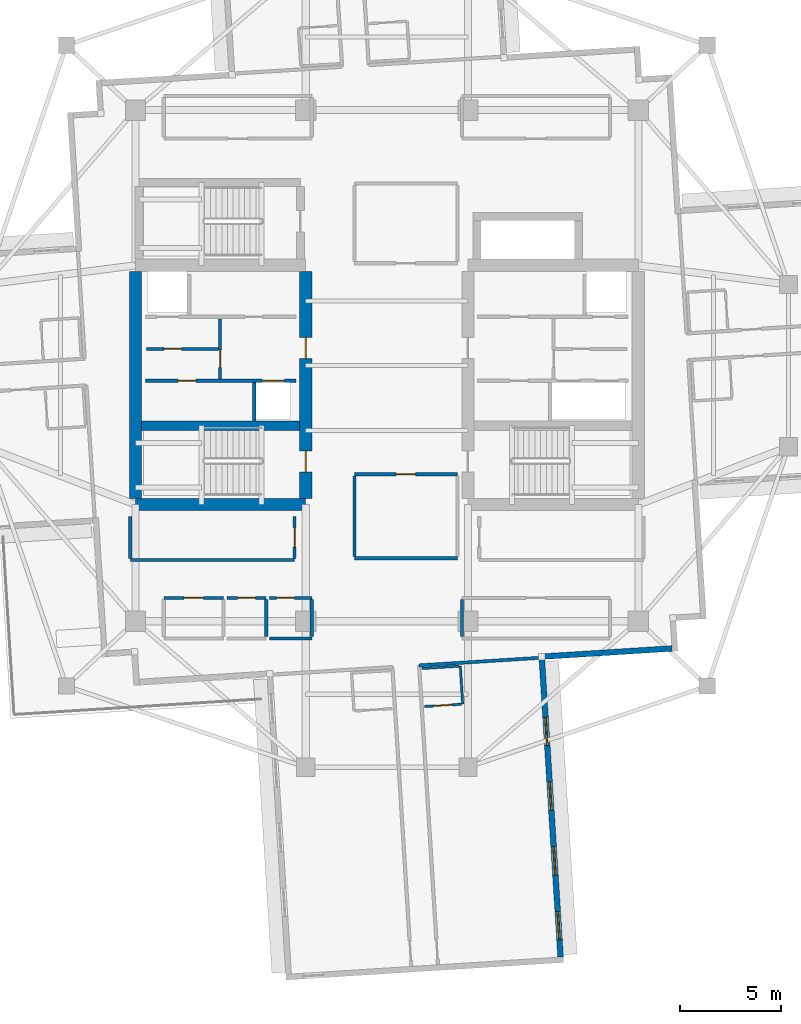
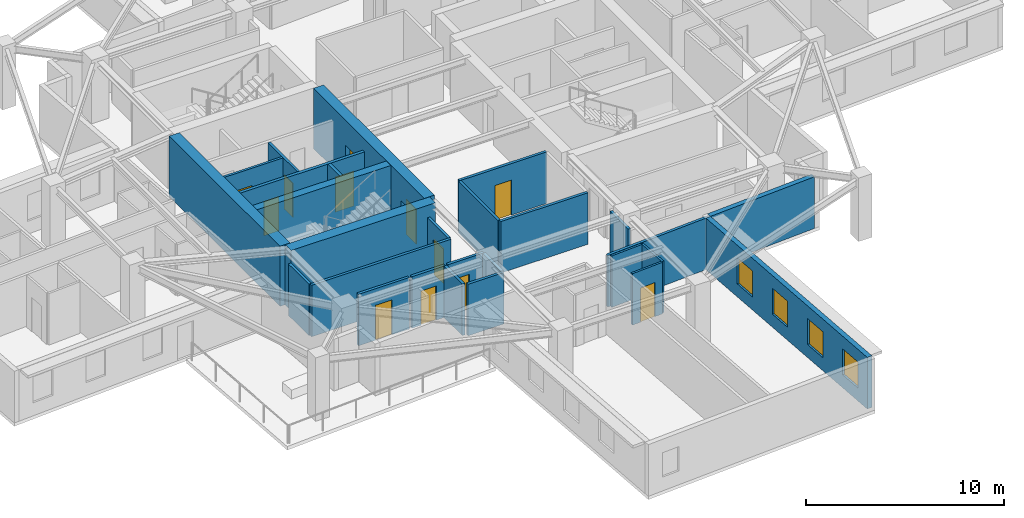
# One storey, part 4 of 12: 27 walls, 12 doors, 4 windows, 16 openings.
"""IFC4 building model written with IfcOpenShell, lengths in metres."""

from ifc_helpers import new_model, si_unit, direction, frame, frame_2d, origin, place, context, subcontext, project, spatial, rectangle, extrude, material, layer, layer_set, type_object, element, fill, save


model = new_model("IFC4")

# Units and contexts
model_context = context("Model", 3, precision=1e-05, world=origin(), true_north=direction((0.0, 1.0)))
body_context = subcontext(model_context, "Body", "Model", "MODEL_VIEW")
ifc_project = project(units=[si_unit("LENGTHUNIT", "METRE"), si_unit("AREAUNIT", "SQUARE_METRE"), si_unit("VOLUMEUNIT", "CUBIC_METRE"), si_unit("PLANEANGLEUNIT", "RADIAN"), si_unit("MASSUNIT", "GRAM", prefix="KILO")], contexts=[model_context])

# Site, building, storey
site_placement = place(None, origin())
site = spatial("IfcSite", under=ifc_project, at=site_placement, CompositionType="ELEMENT")
building_placement = place(site_placement, origin())
building = spatial("IfcBuilding", under=site, at=building_placement, Name="Qingluan Cross Belvedere", CompositionType="ELEMENT")
storey_placement = place(building_placement, frame((0.0, 0.0, 209.10009765625)))
storey = spatial("IfcBuildingStorey", under=building, at=storey_placement, Name="L52", CompositionType="ELEMENT", Elevation=209.10009765625)

# Walls
ifc_material_1 = material(Name="Concrete C50", Category="concrete")
ifc_layer_1 = layer(ifc_material_1, 0.449951171875, Name="CoreShearWall_450")
ifc_layer_set_1 = layer_set([ifc_layer_1], Name="Concrete C50")
wall_type_1 = type_object("IfcWallType", Name="CoreShearWall_450", PredefinedType="SHEAR", material=ifc_layer_set_1)
wall_1_placement = place(storey_placement, frame((-12.094970703125, -2.9599609375, 0.0), z_axis=(0.0, 0.0, 1.0), x_axis=(1.0, 0.0, 0.0)))
element("IfcWall", 1, at=wall_1_placement, inside=storey, type_object=wall_type_1, Name="Split core W shear wall L52-M", PredefinedType="SHEAR", context=body_context, shape_type="SweptSolid", body=[
    extrude(rectangle(XDim=7.7900390625, YDim=0.449951171875, at=frame_2d((3.89501953125, 0.0))), origin(), (0.0, 0.0, 1.0), 3.699951171875),
])
ifc_material_2 = material(Name="Concrete C60", Category="concrete")
ifc_layer_2 = layer(ifc_material_2, 0.60009765625, Name="CoreShearWall_600")
ifc_layer_set_2 = layer_set([ifc_layer_2], Name="Concrete C60")
wall_type_2 = type_object("IfcWallType", Name="CoreShearWall_600", PredefinedType="SHEAR", material=ifc_layer_set_2)
wall_2_placement = place(storey_placement, frame((-12.39990234375, -6.85009765625, 0.0), z_axis=(0.0, 0.0, 1.0), x_axis=(1.0, 0.0, 0.0)))
element("IfcWall", 2, at=wall_2_placement, inside=storey, type_object=wall_type_2, Name="Split core W shear wall L52-S", PredefinedType="SHEAR", context=body_context, shape_type="SweptSolid", body=[
    extrude(rectangle(XDim=8.39990234375, YDim=0.60009765625, at=frame_2d((4.199951171875, 0.0))), origin(), (0.0, 0.0, 1.0), 3.699951171875),
])
wall_3_placement = place(storey_placement, frame((-12.39990234375, -6.544921875, 0.0), z_axis=(0.0, 0.0, 1.0), x_axis=(0.0, 1.0, 0.0)))
element("IfcWall", 3, at=wall_3_placement, inside=storey, type_object=wall_type_2, Name="Split core W shear wall L52-W", PredefinedType="SHEAR", context=body_context, shape_type="SweptSolid", body=[
    extrude(rectangle(XDim=11.18994140625, YDim=0.60009765625, at=frame_2d((5.594970703125, 0.0))), origin(), (0.0, 0.0, 1.0), 3.699951171875),
])

# Wall, openings, doors
wall_4_placement = place(storey_placement, frame((-4.0, -6.544921875, 0.0), z_axis=(0.0, 0.0, 1.0), x_axis=(0.0, 1.0, 0.0)))
wall_4 = element("IfcWall", 4, at=wall_4_placement, inside=storey, type_object=wall_type_2, Name="Split core W shear wall L52-E", PredefinedType="SHEAR", context=body_context, shape_type="SweptSolid", body=[
    extrude(rectangle(XDim=11.18994140625, YDim=0.60009765625, at=frame_2d((5.594970703125, 0.0))), origin(), (0.0, 0.0, 1.0), 3.699951171875),
])
opening_1_placement = place(wall_4_placement, frame((1.294921875, 0.0, 0.0)))
opening_1 = element("IfcOpeningElement", 5, at=opening_1_placement, cuts=wall_4, Name="Opening FD-B11", PredefinedType="OPENING", context=body_context, shape_type="SweptSolid", body=[
    extrude(rectangle(XDim=1.050048828125, YDim=2.14990234375, at=frame_2d((0.52490234375, 1.074951171875))), frame((0.0, 0.31005859375, 0.0), z_axis=(0.0, -1.0, 0.0), x_axis=(1.0, 0.0, 0.0)), (0.0, 0.0, 1.0), 0.6201171875),
])
opening_2_placement = place(wall_4_placement, frame((6.89501953125, 0.0, 0.0)))
opening_2 = element("IfcOpeningElement", 6, at=opening_2_placement, cuts=wall_4, Name="Opening FD-B11", PredefinedType="OPENING", context=body_context, shape_type="SweptSolid", body=[
    extrude(rectangle(XDim=1.050048828125, YDim=2.14990234375, at=frame_2d((0.52490234375, 1.074951171875))), frame((0.0, 0.31005859375, 0.0), z_axis=(0.0, -1.0, 0.0), x_axis=(1.0, 0.0, 0.0)), (0.0, 0.0, 1.0), 0.6201171875),
])
ifc_material_3 = material(Name="Steel Class B smoke-seal fire door", Category="steel")
door_type_1 = type_object("IfcDoorType", Name="StairLobbyFireDoor_FDB", OperationType="NOTDEFINED", PredefinedType="DOOR", material=ifc_material_3)
door_1_placement = place(opening_1_placement, origin())
door_1 = element("IfcDoor", 7, at=door_1_placement, inside=storey, type_object=door_type_1, Name="Smoke-proof stair ST1 fire door L52", OperationType="SINGLE_SWING_RIGHT", OverallHeight=2.14990234375, OverallWidth=1.050048828125, PredefinedType="DOOR", context=body_context, shape_type="SweptSolid", body=[
    extrude(rectangle(XDim=1.050048828125, YDim=2.14990234375, at=frame_2d((0.52490234375, 1.074951171875))), frame((0.0, 0.02490234375, 0.0), z_axis=(0.0, -1.0, 0.0), x_axis=(1.0, 0.0, 0.0)), (0.0, 0.0, 1.0), 0.050048828125),
])
fill(opening_1, door_1)
door_2_placement = place(opening_2_placement, origin())
door_2 = element("IfcDoor", 8, at=door_2_placement, inside=storey, type_object=door_type_1, Name="Firefighting lobby West fire door L52", OperationType="SINGLE_SWING_RIGHT", OverallHeight=2.14990234375, OverallWidth=1.050048828125, PredefinedType="DOOR", context=body_context, shape_type="SweptSolid", body=[
    extrude(rectangle(XDim=1.050048828125, YDim=2.14990234375, at=frame_2d((0.52490234375, 1.074951171875))), frame((0.0, 0.02490234375, 0.0), z_axis=(0.0, -1.0, 0.0), x_axis=(1.0, 0.0, 0.0)), (0.0, 0.0, 1.0), 0.050048828125),
])
fill(opening_2, door_2)

# Wall, opening, door
ifc_material_4 = material(Name="Gypsum plasterboard on steel stud acoustic partition", Category="steel")
ifc_layer_3 = layer(ifc_material_4, 0.159912109375, Name="CorridorPartition_160")
ifc_layer_set_3 = layer_set([ifc_layer_3], Name="Gypsum plasterboard on steel stud acoustic partition")
wall_type_3 = type_object("IfcWallType", Name="CorridorPartition_160", PredefinedType="PARTITIONING", material=ifc_layer_set_3)
wall_5_placement = place(storey_placement, frame((-11.85009765625, 0.830078125, 0.0), z_axis=(0.0, 0.0, 1.0), x_axis=(1.0, 0.0, 0.0)))
wall_5 = element("IfcWall", 9, at=wall_5_placement, inside=storey, type_object=wall_type_3, Name="Partition L52:w", PredefinedType="PARTITIONING", context=body_context, shape_type="SweptSolid", body=[
    extrude(rectangle(XDim=3.552001953125, YDim=0.139892578125, at=frame_2d((1.77587890625, 0.0))), origin(), (0.0, 0.0, 1.0), 3.169921875),
])
opening_3_placement = place(wall_5_placement, frame((0.85009765625, 0.0, 0.0)))
opening_3 = element("IfcOpeningElement", 10, at=opening_3_placement, cuts=wall_5, Name="Opening FD-B10", PredefinedType="OPENING", context=body_context, shape_type="SweptSolid", body=[
    extrude(rectangle(XDim=0.8798828125, YDim=2.10009765625, at=frame_2d((0.43994140625, 1.050048828125))), frame((0.0, 0.079833984375, 0.0), z_axis=(0.0, -1.0, 0.0), x_axis=(1.0, 0.0, 0.0)), (0.0, 0.0, 1.0), 0.159912109375),
])
ifc_material_5 = material(Name="Steel Class B service fire door", Category="steel")
door_type_2 = type_object("IfcDoorType", Name="RiserServiceFireDoor_FDB", OperationType="NOTDEFINED", PredefinedType="DOOR", material=ifc_material_5)
door_3_placement = place(opening_3_placement, origin())
door_3 = element("IfcDoor", 11, at=door_3_placement, inside=storey, type_object=door_type_2, Name="Service closet inner door L52", OperationType="SINGLE_SWING_LEFT", OverallHeight=2.10009765625, OverallWidth=0.8798828125, PredefinedType="DOOR", context=body_context, shape_type="SweptSolid", body=[
    extrude(rectangle(XDim=0.8798828125, YDim=2.10009765625, at=frame_2d((0.43994140625, 1.050048828125))), frame((0.0, 0.02490234375, 0.0), z_axis=(0.0, -1.0, 0.0), x_axis=(1.0, 0.0, 0.0)), (0.0, 0.0, 1.0), 0.050048828125),
])
fill(opening_3, door_3)

# Wall
wall_6_placement = place(storey_placement, frame((3.699951171875, -13.364990234375, 0.0), z_axis=(0.0, 0.0, 1.0), x_axis=(0.0, 1.0, 0.0)))
element("IfcWall", 12, at=wall_6_placement, inside=storey, type_object=wall_type_3, Name="Partition L52:q_se:W", PredefinedType="PARTITIONING", context=body_context, shape_type="SweptSolid", body=[
    extrude(rectangle(XDim=1.830078125, YDim=0.159912109375, at=frame_2d((0.9150390625, 0.0))), origin(), (0.0, 0.0, 1.0), 3.169921875),
])

# Wall, opening, door
wall_7_placement = place(storey_placement, frame((-11.0, -11.449951171875, 0.0), z_axis=(0.0, 0.0, 1.0), x_axis=(1.0, 0.0, 0.0)))
wall_7 = element("IfcWall", 13, at=wall_7_placement, inside=storey, type_object=wall_type_3, Name="Partition L52:q_sw_occ:N", PredefinedType="PARTITIONING", context=body_context, shape_type="SweptSolid", body=[
    extrude(rectangle(XDim=2.949951171875, YDim=0.159912109375, at=frame_2d((1.47509765625, 0.0))), origin(), (0.0, 0.0, 1.0), 3.169921875),
])
opening_4_placement = place(wall_7_placement, frame((0.9951171875, 0.0, 0.0)))
opening_4 = element("IfcOpeningElement", 14, at=opening_4_placement, cuts=wall_7, Name="Opening GD-10", PredefinedType="OPENING", context=body_context, shape_type="SweptSolid", body=[
    extrude(rectangle(XDim=0.9599609375, YDim=2.14990234375, at=frame_2d((0.47998046875, 1.074951171875))), frame((0.0, 0.08984375, 0.0), z_axis=(0.0, -1.0, 0.0), x_axis=(1.0, 0.0, 0.0)), (0.0, 0.0, 1.0), 0.179931640625),
])
ifc_material_6 = material(Name="Timber oak fire-rated acoustic guestroom door", Category="wood")
door_type_3 = type_object("IfcDoorType", Name="GuestEntryDoor_FD60", OperationType="NOTDEFINED", PredefinedType="DOOR", material=ifc_material_6)
door_4_placement = place(opening_4_placement, origin())
door_4 = element("IfcDoor", 15, at=door_4_placement, inside=storey, type_object=door_type_3, Name="Executive briefing room L52 door", OperationType="SINGLE_SWING_LEFT", OverallHeight=2.14990234375, OverallWidth=0.9599609375, PredefinedType="DOOR", context=body_context, shape_type="SweptSolid", body=[
    extrude(rectangle(XDim=0.9599609375, YDim=2.14990234375, at=frame_2d((0.47998046875, 1.074951171875))), frame((0.0, 0.02490234375, 0.0), z_axis=(0.0, -1.0, 0.0), x_axis=(1.0, 0.0, 0.0)), (0.0, 0.0, 1.0), 0.050048828125),
])
fill(opening_4, door_4)

wall_8_placement = place(storey_placement, frame((-7.889892578125, -11.449951171875, 0.0), z_axis=(0.0, 0.0, 1.0), x_axis=(1.0, 0.0, 0.0)))
wall_8 = element("IfcWall", 16, at=wall_8_placement, inside=storey, type_object=wall_type_3, Name="Partition L52:hk_linen:N", PredefinedType="PARTITIONING", context=body_context, shape_type="SweptSolid", body=[
    extrude(rectangle(XDim=1.93994140625, YDim=0.159912109375, at=frame_2d((0.969970703125, 0.0))), origin(), (0.0, 0.0, 1.0), 3.169921875),
])
opening_5_placement = place(wall_8_placement, frame((0.530029296875, 0.0, 0.0)))
opening_5 = element("IfcOpeningElement", 17, at=opening_5_placement, cuts=wall_8, Name="Opening FD-B10", PredefinedType="OPENING", context=body_context, shape_type="SweptSolid", body=[
    extrude(rectangle(XDim=0.8798828125, YDim=2.10009765625, at=frame_2d((0.43994140625, 1.050048828125))), frame((0.0, 0.08984375, 0.0), z_axis=(0.0, -1.0, 0.0), x_axis=(1.0, 0.0, 0.0)), (0.0, 0.0, 1.0), 0.179931640625),
])
door_5_placement = place(opening_5_placement, origin())
door_5 = element("IfcDoor", 18, at=door_5_placement, inside=storey, type_object=door_type_2, Name="Housekeeping and linen store L52 door", OperationType="SINGLE_SWING_RIGHT", OverallHeight=2.10009765625, OverallWidth=0.8798828125, PredefinedType="DOOR", context=body_context, shape_type="SweptSolid", body=[
    extrude(rectangle(XDim=0.8798828125, YDim=2.10009765625, at=frame_2d((0.43994140625, 1.050048828125))), frame((0.0, 0.02490234375, 0.0), z_axis=(0.0, -1.0, 0.0), x_axis=(1.0, 0.0, 0.0)), (0.0, 0.0, 1.0), 0.050048828125),
])
fill(opening_5, door_5)

# Walls
wall_9_placement = place(storey_placement, frame((-5.949951171875, -13.364990234375, 0.0), z_axis=(0.0, 0.0, 1.0), x_axis=(0.0, 1.0, 0.0)))
element("IfcWall", 19, at=wall_9_placement, inside=storey, type_object=wall_type_3, Name="Partition L52:hk_linen:E", PredefinedType="PARTITIONING", context=body_context, shape_type="SweptSolid", body=[
    extrude(rectangle(XDim=1.830078125, YDim=0.159912109375, at=frame_2d((0.9150390625, 0.0))), origin(), (0.0, 0.0, 1.0), 3.169921875),
])
wall_10_placement = place(storey_placement, frame((-5.7900390625, -13.449951171875, 0.0), z_axis=(0.0, 0.0, 1.0), x_axis=(1.0, 0.0, 0.0)))
element("IfcWall", 20, at=wall_10_placement, inside=storey, type_object=wall_type_3, Name="Partition L52:floor_acc_wc:S", PredefinedType="PARTITIONING", context=body_context, shape_type="SweptSolid", body=[
    extrude(rectangle(XDim=2.090087890625, YDim=0.159912109375, at=frame_2d((1.044921875, 0.0))), origin(), (0.0, 0.0, 1.0), 3.169921875),
])

# Wall, opening, door
wall_11_placement = place(storey_placement, frame((-5.7900390625, -11.449951171875, 0.0), z_axis=(0.0, 0.0, 1.0), x_axis=(1.0, 0.0, 0.0)))
wall_11 = element("IfcWall", 21, at=wall_11_placement, inside=storey, type_object=wall_type_3, Name="Partition L52:floor_acc_wc:N", PredefinedType="PARTITIONING", context=body_context, shape_type="SweptSolid", body=[
    extrude(rectangle(XDim=2.090087890625, YDim=0.159912109375, at=frame_2d((1.044921875, 0.0))), origin(), (0.0, 0.0, 1.0), 3.169921875),
])
opening_6_placement = place(wall_11_placement, frame((0.35009765625, 0.0, 0.0)))
opening_6 = element("IfcOpeningElement", 22, at=opening_6_placement, cuts=wall_11, Name="Opening BD-08", PredefinedType="OPENING", context=body_context, shape_type="SweptSolid", body=[
    extrude(rectangle(XDim=0.8798828125, YDim=2.14990234375, at=frame_2d((0.43994140625, 1.074951171875))), frame((0.0, 0.08984375, 0.0), z_axis=(0.0, -1.0, 0.0), x_axis=(1.0, 0.0, 0.0)), (0.0, 0.0, 1.0), 0.179931640625),
])
ifc_material_7 = material(Name="Moisture-sealed timber accessible WC door", Category="wood")
door_type_4 = type_object("IfcDoorType", Name="AccessibleWCDoor_880", OperationType="NOTDEFINED", PredefinedType="DOOR", material=ifc_material_7)
door_6_placement = place(opening_6_placement, origin())
door_6 = element("IfcDoor", 23, at=door_6_placement, inside=storey, type_object=door_type_4, Name="Accessible guest washroom L52 door", OperationType="SINGLE_SWING_LEFT", OverallHeight=2.14990234375, OverallWidth=0.8798828125, PredefinedType="DOOR", context=body_context, shape_type="SweptSolid", body=[
    extrude(rectangle(XDim=0.8798828125, YDim=2.14990234375, at=frame_2d((0.43994140625, 1.074951171875))), frame((0.0, 0.02490234375, 0.0), z_axis=(0.0, -1.0, 0.0), x_axis=(1.0, 0.0, 0.0)), (0.0, 0.0, 1.0), 0.050048828125),
])
fill(opening_6, door_6)

# Walls
wall_12_placement = place(storey_placement, frame((-3.699951171875, -13.364990234375, 0.0), z_axis=(0.0, 0.0, 1.0), x_axis=(0.0, 1.0, 0.0)))
element("IfcWall", 24, at=wall_12_placement, inside=storey, type_object=wall_type_3, Name="Partition L52:floor_acc_wc:E", PredefinedType="PARTITIONING", context=body_context, shape_type="SweptSolid", body=[
    extrude(rectangle(XDim=1.830078125, YDim=0.159912109375, at=frame_2d((0.9150390625, 0.0))), origin(), (0.0, 0.0, 1.0), 3.169921875),
])
wall_13_placement = place(storey_placement, frame((-1.60009765625, -9.5, 0.0), z_axis=(0.0, 0.0, 1.0), x_axis=(1.0, 0.0, 0.0)))
element("IfcWall", 25, at=wall_13_placement, inside=storey, type_object=wall_type_3, Name="Partition L52:sky_south_alcove:S", PredefinedType="PARTITIONING", context=body_context, shape_type="SweptSolid", body=[
    extrude(rectangle(XDim=5.080078125, YDim=0.159912109375, at=frame_2d((2.5400390625, 0.0))), origin(), (0.0, 0.0, 1.0), 3.169921875),
])

# Wall, opening, door
wall_14_placement = place(storey_placement, frame((-1.60009765625, -5.35009765625, 0.0), z_axis=(0.0, 0.0, 1.0), x_axis=(1.0, 0.0, 0.0)))
wall_14 = element("IfcWall", 26, at=wall_14_placement, inside=storey, type_object=wall_type_3, Name="Partition L52:sky_south_alcove:N", PredefinedType="PARTITIONING", context=body_context, shape_type="SweptSolid", body=[
    extrude(rectangle(XDim=5.080078125, YDim=0.159912109375, at=frame_2d((2.5400390625, 0.0))), origin(), (0.0, 0.0, 1.0), 3.169921875),
])
opening_7_placement = place(wall_14_placement, frame((2.06005859375, 0.0, 0.0)))
opening_7 = element("IfcOpeningElement", 27, at=opening_7_placement, cuts=wall_14, Name="Opening GD-10", PredefinedType="OPENING", context=body_context, shape_type="SweptSolid", body=[
    extrude(rectangle(XDim=0.9599609375, YDim=2.14990234375, at=frame_2d((0.47998046875, 1.074951171875))), frame((0.0, 0.08984375, 0.0), z_axis=(0.0, -1.0, 0.0), x_axis=(1.0, 0.0, 0.0)), (0.0, 0.0, 1.0), 0.179931640625),
])
door_7_placement = place(opening_7_placement, origin())
door_7 = element("IfcDoor", 28, at=door_7_placement, inside=storey, type_object=door_type_3, Name="South horizon reading alcove L52 door", OperationType="SINGLE_SWING_LEFT", OverallHeight=2.14990234375, OverallWidth=0.9599609375, PredefinedType="DOOR", context=body_context, shape_type="SweptSolid", body=[
    extrude(rectangle(XDim=0.9599609375, YDim=2.14990234375, at=frame_2d((0.47998046875, 1.074951171875))), frame((0.0, 0.02490234375, 0.0), z_axis=(0.0, -1.0, 0.0), x_axis=(1.0, 0.0, 0.0)), (0.0, 0.0, 1.0), 0.050048828125),
])
fill(opening_7, door_7)

# Walls
wall_15_placement = place(storey_placement, frame((-1.60009765625, -9.4150390625, 0.0), z_axis=(0.0, 0.0, 1.0), x_axis=(0.0, 1.0, 0.0)))
element("IfcWall", 29, at=wall_15_placement, inside=storey, type_object=wall_type_3, Name="Partition L52:sky_south_alcove:W", PredefinedType="PARTITIONING", context=body_context, shape_type="SweptSolid", body=[
    extrude(rectangle(XDim=3.97998046875, YDim=0.159912109375, at=frame_2d((1.989990234375, 0.0))), origin(), (0.0, 0.0, 1.0), 3.169921875),
])
wall_16_placement = place(storey_placement, frame((-12.64990234375, -9.580078125, 0.0), z_axis=(0.0, 0.0, 1.0), x_axis=(1.0, 0.0, 0.0)))
element("IfcWall", 30, at=wall_16_placement, inside=storey, type_object=wall_type_3, Name="Partition L52:rec_st4_w:S", PredefinedType="PARTITIONING", context=body_context, shape_type="SweptSolid", body=[
    extrude(rectangle(XDim=8.099853515625, YDim=0.159912109375, at=frame_2d((4.0498046875, 0.0))), origin(), (0.0, 0.0, 1.0), 3.169921875),
])
wall_17_placement = place(storey_placement, frame((-12.64990234375, -9.4951171875, 0.0), z_axis=(0.0, 0.0, 1.0), x_axis=(0.0, 1.0, 0.0)))
element("IfcWall", 31, at=wall_17_placement, inside=storey, type_object=wall_type_3, Name="Partition L52:rec_st4_w:W", PredefinedType="PARTITIONING", context=body_context, shape_type="SweptSolid", body=[
    extrude(rectangle(XDim=2.06005859375, YDim=0.159912109375, at=frame_2d((1.030029296875, 0.0))), origin(), (0.0, 0.0, 1.0), 3.169921875),
])

# Wall, opening, door
wall_18_placement = place(storey_placement, frame((-4.550048828125, -9.4951171875, 0.0), z_axis=(0.0, 0.0, 1.0), x_axis=(0.0, 1.0, 0.0)))
wall_18 = element("IfcWall", 32, at=wall_18_placement, inside=storey, type_object=wall_type_3, Name="Partition L52:rec_st4_w:E", PredefinedType="PARTITIONING", context=body_context, shape_type="SweptSolid", body=[
    extrude(rectangle(XDim=2.06005859375, YDim=0.159912109375, at=frame_2d((1.030029296875, 0.0))), origin(), (0.0, 0.0, 1.0), 3.169921875),
])
opening_8_placement = place(wall_18_placement, frame((0.550048828125, 0.0, 0.0)))
opening_8 = element("IfcOpeningElement", 33, at=opening_8_placement, cuts=wall_18, Name="Opening GD-10", PredefinedType="OPENING", context=body_context, shape_type="SweptSolid", body=[
    extrude(rectangle(XDim=0.9599609375, YDim=2.14990234375, at=frame_2d((0.47998046875, 1.074951171875))), frame((0.0, 0.08984375, 0.0), z_axis=(0.0, -1.0, 0.0), x_axis=(1.0, 0.0, 0.0)), (0.0, 0.0, 1.0), 0.179931640625),
])
door_8_placement = place(opening_8_placement, origin())
door_8 = element("IfcDoor", 34, at=door_8_placement, inside=storey, type_object=door_type_3, Name="Southwest club reading room L52 door", OperationType="SINGLE_SWING_LEFT", OverallHeight=2.14990234375, OverallWidth=0.9599609375, PredefinedType="DOOR", context=body_context, shape_type="SweptSolid", body=[
    extrude(rectangle(XDim=0.9599609375, YDim=2.14990234375, at=frame_2d((0.47998046875, 1.074951171875))), frame((0.0, 0.02490234375, 0.0), z_axis=(0.0, -1.0, 0.0), x_axis=(1.0, 0.0, 0.0)), (0.0, 0.0, 1.0), 0.050048828125),
])
fill(opening_8, door_8)

# Wall
wall_19_placement = place(storey_placement, frame((1.591064453125, -14.779296875, 0.0), z_axis=(0.0, 0.0, 1.0), x_axis=(0.998025680695, 0.062807170557, 0.0)))
element("IfcWall", 35, at=wall_19_placement, inside=storey, type_object=wall_type_3, Name="Partition L52:S:s0", PredefinedType="PARTITIONING", context=body_context, shape_type="SweptSolid", body=[
    extrude(rectangle(XDim=6.06005859375, YDim=0.159912109375, at=frame_2d((3.030029296875, 0.0))), origin(), (0.0, 0.0, 1.0), 3.169921875),
])

# Wall, opening, door
ifc_material_8 = material(Name="Moisture-resistant gypsum board lining")
ifc_layer_4 = layer(ifc_material_8, 0.1201171875, Name="EnsuiteWetPartition_120")
ifc_layer_set_4 = layer_set([ifc_layer_4], Name="Moisture-resistant gypsum board lining")
wall_type_4 = type_object("IfcWallType", Name="EnsuiteWetPartition_120", PredefinedType="PARTITIONING", material=ifc_layer_set_4)
wall_20_placement = place(storey_placement, frame((1.85888671875, -16.806396484375, 0.0), z_axis=(0.0, 0.0, 1.0), x_axis=(0.998027443946, 0.062779145668, 0.0)))
wall_20 = element("IfcWall", 36, at=wall_20_placement, inside=storey, type_object=wall_type_4, Name="Partition L52:S:bs0_0", PredefinedType="PARTITIONING", context=body_context, shape_type="SweptSolid", body=[
    extrude(rectangle(XDim=1.820068359375, YDim=0.1201171875, at=frame_2d((0.91015625, 0.0))), origin(), (0.0, 0.0, 1.0), 3.169921875),
])
opening_9_placement = place(wall_20_placement, frame((0.469970703125, 0.0, 0.0)))
opening_9 = element("IfcOpeningElement", 37, at=opening_9_placement, cuts=wall_20, Name="Opening BD-09", PredefinedType="OPENING", context=body_context, shape_type="SweptSolid", body=[
    extrude(rectangle(XDim=0.8798828125, YDim=2.10009765625, at=frame_2d((0.43994140625, 1.050048828125))), frame((0.0, 0.070068359375, 0.0), z_axis=(0.0, -1.0, 0.0), x_axis=(1.0, 0.0, 0.0)), (0.0, 0.0, 1.0), 0.14013671875),
])
ifc_material_9 = material(Name="Moisture-sealed timber en-suite door", Category="wood")
door_type_5 = type_object("IfcDoorType", Name="BathroomDoor_880", OperationType="NOTDEFINED", PredefinedType="DOOR", material=ifc_material_9)
door_9_placement = place(opening_9_placement, origin())
door_9 = element("IfcDoor", 38, at=door_9_placement, inside=storey, type_object=door_type_5, Name="Bathroom door 5213", OperationType="SINGLE_SWING_LEFT", OverallHeight=2.10009765625, OverallWidth=0.8798828125, PredefinedType="DOOR", context=body_context, shape_type="SweptSolid", body=[
    extrude(rectangle(XDim=0.8798828125, YDim=2.10009765625, at=frame_2d((0.43994140625, 1.050048828125))), frame((0.0, 0.02490234375, 0.0), z_axis=(0.0, -1.0, 0.0), x_axis=(1.0, 0.0, 0.0)), (0.0, 0.0, 1.0), 0.050048828125),
])
fill(opening_9, door_9)

# Walls
wall_21_placement = place(storey_placement, frame((1.740966796875, -14.93017578125, 0.0), z_axis=(0.0, 0.0, 1.0), x_axis=(0.998027443946, 0.062779145668, 0.0)))
element("IfcWall", 39, at=wall_21_placement, inside=storey, type_object=wall_type_4, Name="Partition L52:S:bw0_0", PredefinedType="PARTITIONING", context=body_context, shape_type="SweptSolid", body=[
    extrude(rectangle(XDim=1.820068359375, YDim=0.1201171875, at=frame_2d((0.91015625, 0.0))), origin(), (0.0, 0.0, 1.0), 3.169921875),
])
wall_22_placement = place(storey_placement, frame((3.622314453125, -14.811767578125, 0.0), z_axis=(0.0, 0.0, 1.0), x_axis=(0.062725942896, -0.998030789148, 0.0)))
element("IfcWall", 40, at=wall_22_placement, inside=storey, type_object=wall_type_4, Name="Partition L52:S:bn0_0", PredefinedType="PARTITIONING", context=body_context, shape_type="SweptSolid", body=[
    extrude(rectangle(XDim=1.8798828125, YDim=0.1201171875, at=frame_2d((0.93994140625, 0.0))), origin(), (0.0, 0.0, 1.0), 3.169921875),
])

# Wall, openings, windows
ifc_material_10 = material(Name="Precast concrete C45", Category="concrete")
ifc_layer_5 = layer(ifc_material_10, 0.280029296875, Name="PrecastFacadeWall_280")
ifc_layer_set_5 = layer_set([ifc_layer_5], Name="Precast concrete C45")
wall_type_5 = type_object("IfcWallType", Name="PrecastFacadeWall_280", PredefinedType="STANDARD", material=ifc_layer_set_5)
wall_23_placement = place(storey_placement, frame((8.56787109375, -29.15966796875, 0.0), z_axis=(0.0, 0.0, 1.0), x_axis=(-0.062794967833, 0.998026448555, 0.0)))
wall_23 = element("IfcWall", 41, at=wall_23_placement, inside=storey, type_object=wall_type_5, Name="Facade wall L52-SB", PredefinedType="STANDARD", context=body_context, shape_type="SweptSolid", body=[
    extrude(rectangle(XDim=14.7001953125, YDim=0.280029296875, at=frame_2d((7.35009765625, 0.0))), origin(), (0.0, 0.0, 1.0), 3.179931640625),
])
opening_10_placement = place(wall_23_placement, frame((0.85009765625, 0.0, 0.800048828125)))
opening_10 = element("IfcOpeningElement", 42, at=opening_10_placement, cuts=wall_23, Name="Opening W-01", PredefinedType="OPENING", context=body_context, shape_type="SweptSolid", body=[
    extrude(rectangle(XDim=1.39990234375, YDim=1.60009765625, at=frame_2d((0.699951171875, 0.800048828125))), frame((0.0, 0.14990234375, 0.0), z_axis=(0.0, -1.0, 0.0), x_axis=(1.0, 0.0, 0.0)), (0.0, 0.0, 1.0), 0.300048828125),
])
opening_11_placement = place(wall_23_placement, frame((4.050048828125, 0.0, 0.800048828125)))
opening_11 = element("IfcOpeningElement", 43, at=opening_11_placement, cuts=wall_23, Name="Opening W-01", PredefinedType="OPENING", context=body_context, shape_type="SweptSolid", body=[
    extrude(rectangle(XDim=1.39990234375, YDim=1.60009765625, at=frame_2d((0.699951171875, 0.800048828125))), frame((0.0, 0.14990234375, 0.0), z_axis=(0.0, -1.0, 0.0), x_axis=(1.0, 0.0, 0.0)), (0.0, 0.0, 1.0), 0.300048828125),
])
opening_12_placement = place(wall_23_placement, frame((7.25, 0.0, 0.800048828125)))
opening_12 = element("IfcOpeningElement", 44, at=opening_12_placement, cuts=wall_23, Name="Opening W-01", PredefinedType="OPENING", context=body_context, shape_type="SweptSolid", body=[
    extrude(rectangle(XDim=1.39990234375, YDim=1.60009765625, at=frame_2d((0.699951171875, 0.800048828125))), frame((0.0, 0.14990234375, 0.0), z_axis=(0.0, -1.0, 0.0), x_axis=(1.0, 0.0, 0.0)), (0.0, 0.0, 1.0), 0.300048828125),
])
opening_13_placement = place(wall_23_placement, frame((10.449951171875, 0.0, 0.800048828125)))
opening_13 = element("IfcOpeningElement", 45, at=opening_13_placement, cuts=wall_23, Name="Opening W-01", PredefinedType="OPENING", context=body_context, shape_type="SweptSolid", body=[
    extrude(rectangle(XDim=1.39990234375, YDim=1.60009765625, at=frame_2d((0.699951171875, 0.800048828125))), frame((0.0, 0.14990234375, 0.0), z_axis=(0.0, -1.0, 0.0), x_axis=(1.0, 0.0, 0.0)), (0.0, 0.0, 1.0), 0.300048828125),
])
ifc_material_11 = material(Name="Thermally broken triple Low-E glass in aluminium frame", Category="aluminium")
window_type = type_object("IfcWindowType", Name="TriRibbonWin_1400x1600", PartitioningType="SINGLE_PANEL", PredefinedType="WINDOW", material=ifc_material_11)
window_1_placement = place(opening_10_placement, origin())
window_1 = element("IfcWindow", 46, at=window_1_placement, inside=storey, type_object=window_type, Name="Ribbon window L52-SB-1", OverallHeight=1.60009765625, OverallWidth=1.39990234375, PartitioningType="SINGLE_PANEL", PredefinedType="WINDOW", context=body_context, shape_type="SweptSolid", body=[
    extrude(rectangle(XDim=1.39990234375, YDim=1.60009765625, at=frame_2d((0.699951171875, 0.800048828125))), frame((0.0, 0.030029296875, 0.0), z_axis=(0.0, -1.0, 0.0), x_axis=(1.0, 0.0, 0.0)), (0.0, 0.0, 1.0), 0.06005859375),
])
fill(opening_10, window_1)
window_2_placement = place(opening_11_placement, origin())
window_2 = element("IfcWindow", 47, at=window_2_placement, inside=storey, type_object=window_type, Name="Ribbon window L52-SB-2", OverallHeight=1.60009765625, OverallWidth=1.39990234375, PartitioningType="SINGLE_PANEL", PredefinedType="WINDOW", context=body_context, shape_type="SweptSolid", body=[
    extrude(rectangle(XDim=1.39990234375, YDim=1.60009765625, at=frame_2d((0.699951171875, 0.800048828125))), frame((0.0, 0.030029296875, 0.0), z_axis=(0.0, -1.0, 0.0), x_axis=(1.0, 0.0, 0.0)), (0.0, 0.0, 1.0), 0.06005859375),
])
fill(opening_11, window_2)
window_3_placement = place(opening_12_placement, origin())
window_3 = element("IfcWindow", 48, at=window_3_placement, inside=storey, type_object=window_type, Name="Ribbon window L52-SB-3", OverallHeight=1.60009765625, OverallWidth=1.39990234375, PartitioningType="SINGLE_PANEL", PredefinedType="WINDOW", context=body_context, shape_type="SweptSolid", body=[
    extrude(rectangle(XDim=1.39990234375, YDim=1.60009765625, at=frame_2d((0.699951171875, 0.800048828125))), frame((0.0, 0.030029296875, 0.0), z_axis=(0.0, -1.0, 0.0), x_axis=(1.0, 0.0, 0.0)), (0.0, 0.0, 1.0), 0.06005859375),
])
fill(opening_12, window_3)
window_4_placement = place(opening_13_placement, origin())
window_4 = element("IfcWindow", 49, at=window_4_placement, inside=storey, type_object=window_type, Name="Ribbon window L52-SB-4", OverallHeight=1.60009765625, OverallWidth=1.39990234375, PartitioningType="SINGLE_PANEL", PredefinedType="WINDOW", context=body_context, shape_type="SweptSolid", body=[
    extrude(rectangle(XDim=1.39990234375, YDim=1.60009765625, at=frame_2d((0.699951171875, 0.800048828125))), frame((0.0, 0.030029296875, 0.0), z_axis=(0.0, -1.0, 0.0), x_axis=(1.0, 0.0, 0.0)), (0.0, 0.0, 1.0), 0.06005859375),
])
fill(opening_13, window_4)

# Wall
wall_24_placement = place(storey_placement, frame((14.063232421875, -13.944580078125, 0.0), z_axis=(0.0, 0.0, 1.0), x_axis=(-0.998027314704, -0.062781200242, 0.0)))
element("IfcWall", 50, at=wall_24_placement, inside=storey, type_object=wall_type_5, Name="Corner wall L52-SE4", PredefinedType="STANDARD", context=body_context, shape_type="SweptSolid", body=[
    extrude(rectangle(XDim=6.2998046875, YDim=0.280029296875, at=frame_2d((3.14990234375, 0.0))), origin(), (0.0, 0.0, 1.0), 3.179931640625),
])

# Wall, openings, doors
ifc_material_12 = material(Name="Concrete C40", Category="concrete")
ifc_layer_6 = layer(ifc_material_12, 0.219970703125, Name="ShaftEnclosureWall_250")
ifc_layer_set_6 = layer_set([ifc_layer_6], Name="Concrete C40")
wall_type_6 = type_object("IfcWallType", Name="ShaftEnclosureWall_250", PredefinedType="SOLIDWALL", material=ifc_layer_set_6)
wall_25_placement = place(storey_placement, frame((-11.89990234375, -0.75, 0.0), z_axis=(0.0, 0.0, 1.0), x_axis=(1.0, 0.0, 0.0)))
wall_25 = element("IfcWall", 51, at=wall_25_placement, inside=storey, type_object=wall_type_6, Name="Core-W mid hoistway wall L52", PredefinedType="SOLIDWALL", context=body_context, shape_type="SweptSolid", body=[
    extrude(rectangle(XDim=7.419921875, YDim=0.179931640625, at=frame_2d((3.7099609375, 0.0))), origin(), (0.0, 0.0, 1.0), 3.169921875),
])
opening_14_placement = place(wall_25_placement, frame((5.75, 0.0, 0.0)))
opening_14 = element("IfcOpeningElement", 52, at=opening_14_placement, cuts=wall_25, Name="Opening LD-11", PredefinedType="OPENING", context=body_context, shape_type="SweptSolid", body=[
    extrude(rectangle(XDim=1.10009765625, YDim=2.14990234375, at=frame_2d((0.550048828125, 1.074951171875))), frame((0.0, 0.099853515625, 0.0), z_axis=(0.0, -1.0, 0.0), x_axis=(1.0, 0.0, 0.0)), (0.0, 0.0, 1.0), 0.199951171875),
])
opening_15_placement = place(wall_25_placement, frame((1.60009765625, 0.0, 0.0)))
opening_15 = element("IfcOpeningElement", 53, at=opening_15_placement, cuts=wall_25, Name="Opening FD-B10", PredefinedType="OPENING", context=body_context, shape_type="SweptSolid", body=[
    extrude(rectangle(XDim=0.8798828125, YDim=2.10009765625, at=frame_2d((0.43994140625, 1.050048828125))), frame((0.0, 0.099853515625, 0.0), z_axis=(0.0, -1.0, 0.0), x_axis=(1.0, 0.0, 0.0)), (0.0, 0.0, 1.0), 0.199951171875),
])
ifc_material_13 = material(Name="Brushed stainless steel centre-opening lift landing door", Category="steel")
door_type_6 = type_object("IfcDoorType", Name="LiftLandingSlidingDoor_1100", OperationType="DOUBLE_DOOR_SLIDING", PredefinedType="DOOR", material=ifc_material_13)
door_10_placement = place(opening_14_placement, origin())
door_10 = element("IfcDoor", 54, at=door_10_placement, inside=storey, type_object=door_type_6, Name="Lift landing sliding door LP8 L52", OperationType="DOUBLE_DOOR_SLIDING", OverallHeight=2.14990234375, OverallWidth=1.10009765625, PredefinedType="DOOR", context=body_context, shape_type="SweptSolid", body=[
    extrude(rectangle(XDim=1.10009765625, YDim=2.14990234375, at=frame_2d((0.550048828125, 1.074951171875))), frame((0.0, 0.02490234375, 0.0), z_axis=(0.0, -1.0, 0.0), x_axis=(1.0, 0.0, 0.0)), (0.0, 0.0, 1.0), 0.050048828125),
])
fill(opening_14, door_10)
door_11_placement = place(opening_15_placement, origin())
door_11 = element("IfcDoor", 55, at=door_11_placement, inside=storey, type_object=door_type_2, Name="Upper-zone electrical room door L52", OperationType="SINGLE_SWING_LEFT", OverallHeight=2.10009765625, OverallWidth=0.8798828125, PredefinedType="DOOR", context=body_context, shape_type="SweptSolid", body=[
    extrude(rectangle(XDim=0.8798828125, YDim=2.10009765625, at=frame_2d((0.43994140625, 1.050048828125))), frame((0.0, 0.02490234375, 0.0), z_axis=(0.0, -1.0, 0.0), x_axis=(1.0, 0.0, 0.0)), (0.0, 0.0, 1.0), 0.050048828125),
])
fill(opening_15, door_11)

# Wall
wall_26_placement = place(storey_placement, frame((-6.5400390625, -2.72998046875, 0.0), z_axis=(0.0, 0.0, 1.0), x_axis=(0.0, 1.0, 0.0)))
element("IfcWall", 56, at=wall_26_placement, inside=storey, type_object=wall_type_6, Name="Hoistway enclosure divider LP8W L52", PredefinedType="SOLIDWALL", context=body_context, shape_type="SweptSolid", body=[
    extrude(rectangle(XDim=1.889892578125, YDim=0.179931640625, at=frame_2d((0.94482421875, 0.0))), origin(), (0.0, 0.0, 1.0), 3.169921875),
])

# Wall, opening, door
wall_27_placement = place(storey_placement, frame((-8.219970703125, -0.64990234375, 0.0), z_axis=(0.0, 0.0, 1.0), x_axis=(0.0, 1.0, 0.0)))
wall_27 = element("IfcWall", 57, at=wall_27_placement, inside=storey, type_object=wall_type_6, Name="Core-W service corridor wall L52", PredefinedType="SOLIDWALL", context=body_context, shape_type="SweptSolid", body=[
    extrude(rectangle(XDim=2.9599609375, YDim=0.139892578125, at=frame_2d((1.47998046875, 0.0))), origin(), (0.0, 0.0, 1.0), 3.169921875),
])
opening_16_placement = place(wall_27_placement, frame((0.550048828125, 0.0, 0.0)))
opening_16 = element("IfcOpeningElement", 58, at=opening_16_placement, cuts=wall_27, Name="Opening FD-B10", PredefinedType="OPENING", context=body_context, shape_type="SweptSolid", body=[
    extrude(rectangle(XDim=0.8798828125, YDim=2.10009765625, at=frame_2d((0.43994140625, 1.050048828125))), frame((0.0, 0.079833984375, 0.0), z_axis=(0.0, -1.0, 0.0), x_axis=(1.0, 0.0, 0.0)), (0.0, 0.0, 1.0), 0.159912109375),
])
door_12_placement = place(opening_16_placement, origin())
door_12 = element("IfcDoor", 59, at=door_12_placement, inside=storey, type_object=door_type_2, Name="Core-W service room door L52", OperationType="SINGLE_SWING_LEFT", OverallHeight=2.10009765625, OverallWidth=0.8798828125, PredefinedType="DOOR", context=body_context, shape_type="SweptSolid", body=[
    extrude(rectangle(XDim=0.8798828125, YDim=2.10009765625, at=frame_2d((0.43994140625, 1.050048828125))), frame((0.0, 0.02490234375, 0.0), z_axis=(0.0, -1.0, 0.0), x_axis=(1.0, 0.0, 0.0)), (0.0, 0.0, 1.0), 0.050048828125),
])
fill(opening_16, door_12)

save(model, "model.ifc")
